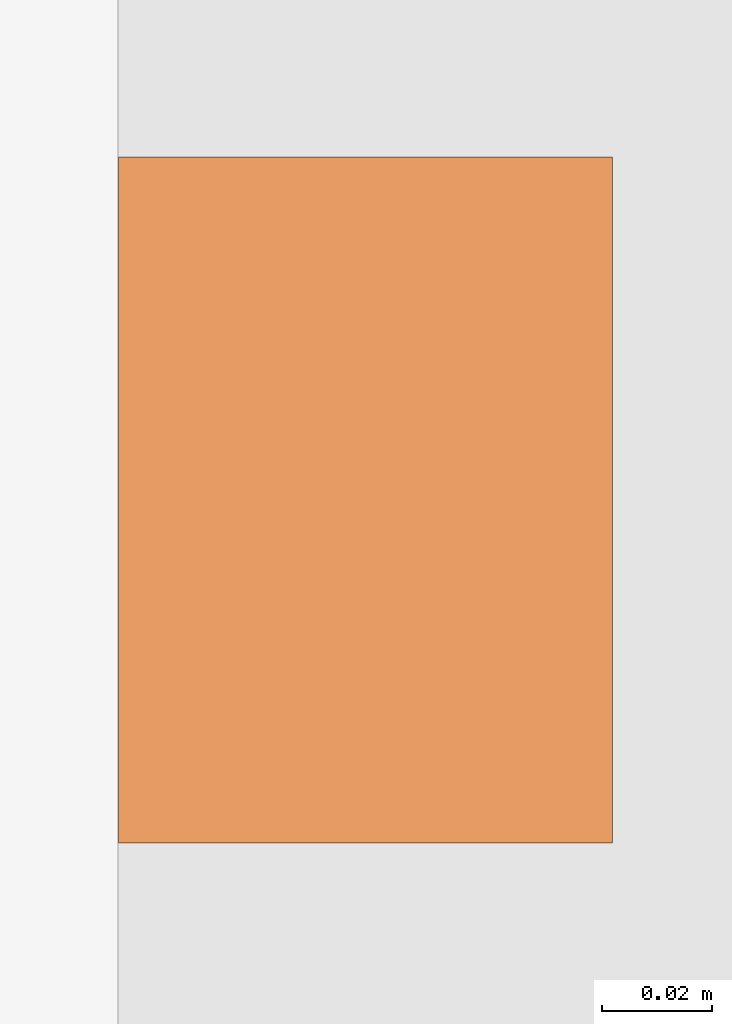
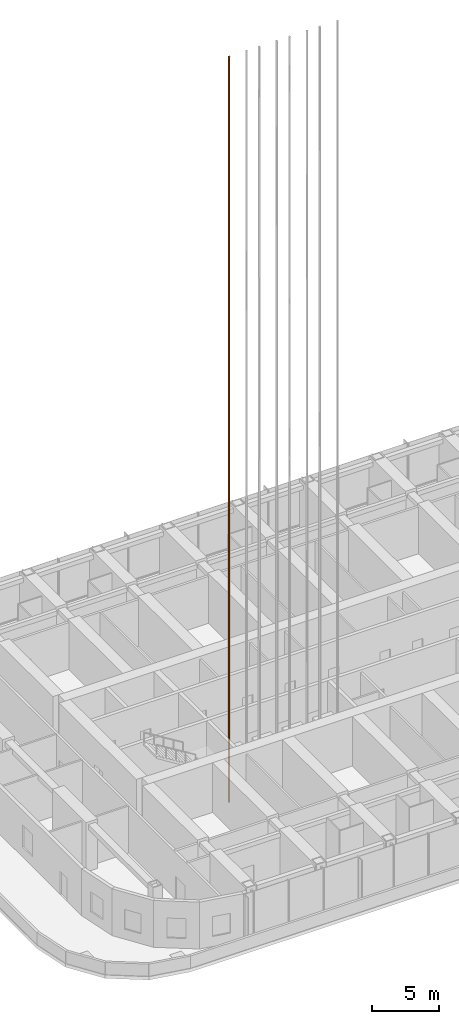
# One storey, part 25 of 32: 1 proxy.
"""IFC4 building model written with IfcOpenShell, lengths in metres."""

from ifc_helpers import new_model, si_unit, direction, frame, origin, origin_2d, place, context, subcontext, project, spatial, rectangle, extrude, material, element, save


model = new_model("IFC4")

# Units and contexts
model_context = context("Model", 3, precision=1e-05, world=origin(), true_north=direction((0.0, 1.0)))
body_context = subcontext(model_context, "Body", "Model", "MODEL_VIEW")
ifc_project = project(units=[si_unit("LENGTHUNIT", "METRE"), si_unit("AREAUNIT", "SQUARE_METRE"), si_unit("VOLUMEUNIT", "CUBIC_METRE"), si_unit("PLANEANGLEUNIT", "RADIAN"), si_unit("MASSUNIT", "GRAM", prefix="KILO")], contexts=[model_context])

# Site, building, storey
site_placement = place(None, origin())
site = spatial("IfcSite", under=ifc_project, at=site_placement, CompositionType="ELEMENT")
building_placement = place(site_placement, origin())
building = spatial("IfcBuilding", under=site, at=building_placement, Name="Orbita Commons", CompositionType="ELEMENT")
storey_placement = place(building_placement, frame((0.0, 0.0, 140.35009765625)))
storey = spatial("IfcBuildingStorey", under=building, at=storey_placement, Name="L34", CompositionType="ELEMENT", Elevation=140.35009765625)

# Proxy
ifc_material = material(Name="Machined steel guide rail", Category="steel")
placement = place(storey_placement, frame((27.300048828125, 28.10009765625, 0.0), z_axis=(0.0, 0.0, 1.0), x_axis=(1.0, 0.0, 0.0)))
proxy_placement = place(placement, frame((-0.7548828125, 0.0, -1.800048828125)))
element("IfcBuildingElementProxy", 1, at=proxy_placement, inside=storey, material=ifc_material, Name="P31 guide rail 1", ObjectType="GUIDE RAIL", PredefinedType="USERDEFINED", context=body_context, shape_type="SweptSolid", body=[
    extrude(rectangle(XDim=0.09, YDim=0.125, at=origin_2d()), origin(), (0.0, 0.0, 1.0), 67.64990234375),
])

save(model, "model.ifc")
